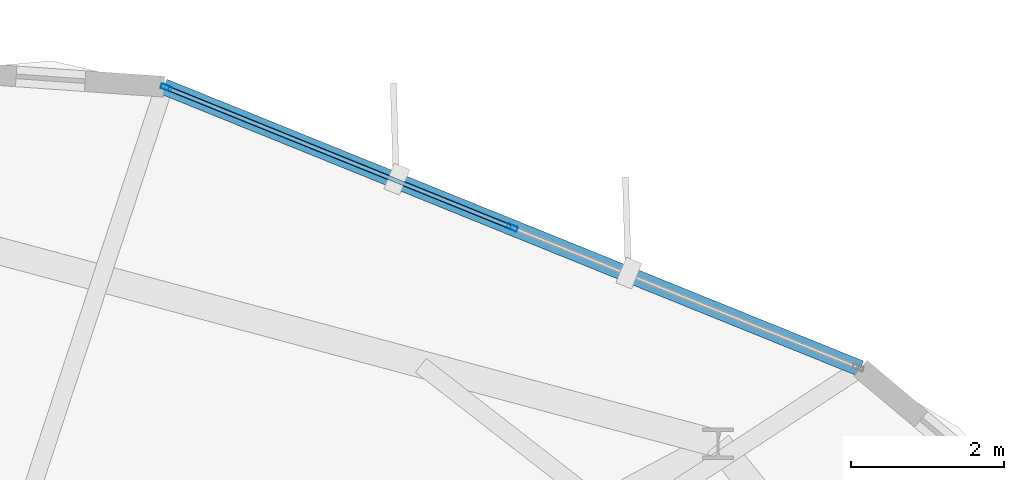
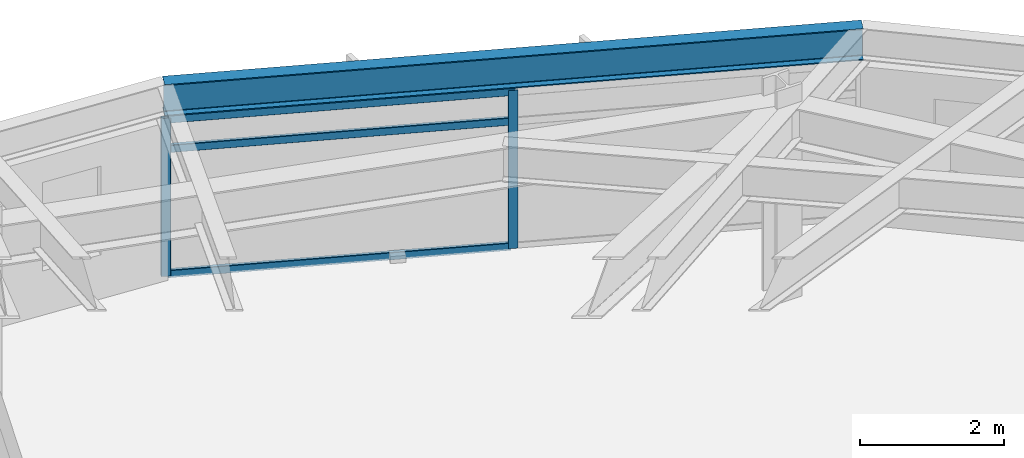
# One storey, part 14 of 23: 5 members, 1 beam, 1 element without a shape of its own.
"""IFC4 building model written with IfcOpenShell, lengths in metres."""

from ifc_helpers import new_model, si_unit, direction, frame, origin, origin_2d, place, context, subcontext, project, spatial, hollow_rectangle, i_section, extrude, material, layer, layer_set, material_profile, profile_set, type_object, element, aggregate, save


model = new_model("IFC4")

# Units and contexts
model_context = context("Model", 3, precision=1e-05, world=origin(), true_north=direction((0.0, 1.0)))
body_context = subcontext(model_context, "Body", "Model", "MODEL_VIEW")
ifc_project = project(units=[si_unit("LENGTHUNIT", "METRE"), si_unit("AREAUNIT", "SQUARE_METRE"), si_unit("VOLUMEUNIT", "CUBIC_METRE"), si_unit("PLANEANGLEUNIT", "RADIAN"), si_unit("MASSUNIT", "GRAM", prefix="KILO")], contexts=[model_context])

# Site, building, storey
site_placement = place(None, origin())
site = spatial("IfcSite", under=ifc_project, at=site_placement, CompositionType="ELEMENT")
building_placement = place(site_placement, origin())
building = spatial("IfcBuilding", under=site, at=building_placement, Name="Soratama Intermodal Tower", CompositionType="ELEMENT")
storey_placement = place(building_placement, frame((0.0, 0.0, 215.800048828125)))
storey = spatial("IfcBuildingStorey", under=building, at=storey_placement, Name="L54", CompositionType="ELEMENT", Elevation=215.800048828125)

# Beam
ifc_material_1 = material(Name="Structural steel ASTM A992 Grade 50", Category="steel")
ifc_material_profile_1 = material_profile(ifc_material_1, i_section(OverallWidth=0.2099609375, OverallDepth=0.537109375, WebThickness=0.010986328125, FlangeThickness=0.017333984375, FilletRadius=0.012939453125, at=origin_2d()), Name="W21X68")
ifc_profile_set_1 = profile_set([ifc_material_profile_1], Name="Structural steel ASTM A992 Grade 50")
beam_type = type_object("IfcBeamType", Name="BM-SPN-W21X68", PredefinedType="SPANDREL", material=ifc_profile_set_1)
beam_placement = place(storey_placement, frame((56.986083984375, 41.5810546875, 3.031494140625), z_axis=(-0.92704589597, 0.374947872063, 0.0), x_axis=(-0.374947872063, -0.92704589597, 0.0)))
element("IfcBeam", 1, at=beam_placement, inside=storey, type_object=beam_type, Name="BS-L54-F01", PredefinedType="SPANDREL", context=body_context, shape_type="SweptSolid", body=[
    extrude(i_section(OverallWidth=0.2099609375, OverallDepth=0.537109375, WebThickness=0.010986328125, FlangeThickness=0.017333984375, FilletRadius=0.012939453125, at=origin_2d()), origin(), (0.0, 0.0, 1.0), 9.79052734375),
])

# Curtain wall, members
ifc_material_2 = material(Name="Double-glazed aluminium curtain wall", Category="aluminium")
ifc_layer = layer(ifc_material_2, 0.159912109375)
ifc_layer_set = layer_set([ifc_layer], Name="Double-glazed aluminium curtain wall")
curtain_wall_type = type_object("IfcCurtainWallType", Name="CW-SYS-5", PredefinedType="NOTDEFINED", material=ifc_layer_set)
curtain_wall_placement = place(storey_placement, origin())
curtain_wall = element("IfcCurtainWall", 2, at=curtain_wall_placement, inside=storey, type_object=curtain_wall_type, Name="L54 Faceted Curtain Wall F01", PredefinedType="NOTDEFINED")
ifc_material_3 = material(Name="Anodised aluminium AA 6063-T6", Category="aluminium")
ifc_material_profile_2 = material_profile(ifc_material_3, hollow_rectangle(XDim=0.06494140625, YDim=0.139892578125, WallThickness=0.0048828125, InnerFilletRadius=0.0048828125, OuterFilletRadius=0.010009765625, at=origin_2d()), Name="CWM140X65X5")
ifc_profile_set_2 = profile_set([ifc_material_profile_2], Name="Anodised aluminium AA 6063-T6")
member_type_1 = type_object("IfcMemberType", Name="MT-CWM-5", PredefinedType="MULLION", material=ifc_profile_set_2)
member_1_placement = place(storey_placement, frame((52.4482421875, 43.416748046875, 0.0), z_axis=(0.0, 0.0, 1.0), x_axis=(-0.374934682302, -0.927051230519, 0.0)))
member_1 = element("IfcMember", 3, at=member_1_placement, type_object=member_type_1, Name="CW-5 mullion 2", PredefinedType="MULLION", context=body_context, shape_type="SweptSolid", body=[
    extrude(hollow_rectangle(XDim=0.06494140625, YDim=0.139892578125, WallThickness=0.0048828125, InnerFilletRadius=0.0048828125, OuterFilletRadius=0.010009765625, at=origin_2d()), origin(), (0.0, 0.0, 1.0), 2.678955078125),
])
member_2_placement = place(storey_placement, frame((47.93798828125, 45.240966796875, 0.0), z_axis=(0.0, 0.0, 1.0), x_axis=(-0.374934682302, -0.927051230519, 0.0)))
member_2 = element("IfcMember", 4, at=member_2_placement, type_object=member_type_1, Name="CW-5 mullion 3", PredefinedType="MULLION", context=body_context, shape_type="SweptSolid", body=[
    extrude(hollow_rectangle(XDim=0.06494140625, YDim=0.139892578125, WallThickness=0.0048828125, InnerFilletRadius=0.0048828125, OuterFilletRadius=0.010009765625, at=origin_2d()), origin(), (0.0, 0.0, 1.0), 2.678955078125),
])
ifc_material_4 = material(Name="Anodised aluminium AA 6063-T6", Category="aluminium")
ifc_material_profile_3 = material_profile(ifc_material_4, hollow_rectangle(XDim=0.06005859375, YDim=0.1298828125, WallThickness=0.0048828125, InnerFilletRadius=0.0048828125, OuterFilletRadius=0.010009765625, at=origin_2d()), Name="CWT130X60X5")
ifc_profile_set_3 = profile_set([ifc_material_profile_3], Name="Anodised aluminium AA 6063-T6")
member_type_2 = type_object("IfcMemberType", Name="TT-CWT-2", PredefinedType="USERDEFINED", material=ifc_profile_set_3)
member_3_placement = place(storey_placement, frame((52.420654296875, 43.427978515625, 0.030029296875), z_axis=(-0.92704732675, 0.374944334489, 0.0), x_axis=(-0.374944334489, -0.92704732675, 0.0)))
member_3 = element("IfcMember", 5, at=member_3_placement, type_object=member_type_2, Name="CW-5 transom 2.1", ObjectType="TRANSOM", PredefinedType="USERDEFINED", context=body_context, shape_type="SweptSolid", body=[
    extrude(hollow_rectangle(XDim=0.06005859375, YDim=0.1298828125, WallThickness=0.0048828125, InnerFilletRadius=0.0048828125, OuterFilletRadius=0.010009765625, at=origin_2d()), origin(), (0.0, 0.0, 1.0), 4.805419921875),
])
member_4_placement = place(storey_placement, frame((52.420654296875, 43.427978515625, 2.14990234375), z_axis=(-0.92704732675, 0.374944334489, 0.0), x_axis=(-0.374944334489, -0.92704732675, 0.0)))
member_4 = element("IfcMember", 6, at=member_4_placement, type_object=member_type_2, Name="CW-5 transom 2.2", ObjectType="TRANSOM", PredefinedType="USERDEFINED", context=body_context, shape_type="SweptSolid", body=[
    extrude(hollow_rectangle(XDim=0.06005859375, YDim=0.1298828125, WallThickness=0.0048828125, InnerFilletRadius=0.0048828125, OuterFilletRadius=0.010009765625, at=origin_2d()), origin(), (0.0, 0.0, 1.0), 4.805419921875),
])
member_5_placement = place(storey_placement, frame((52.420654296875, 43.427978515625, 2.64892578125), z_axis=(-0.92704732675, 0.374944334489, 0.0), x_axis=(-0.374944334489, -0.92704732675, 0.0)))
member_5 = element("IfcMember", 7, at=member_5_placement, type_object=member_type_2, Name="CW-5 transom 2.3", ObjectType="TRANSOM", PredefinedType="USERDEFINED", context=body_context, shape_type="SweptSolid", body=[
    extrude(hollow_rectangle(XDim=0.06005859375, YDim=0.1298828125, WallThickness=0.0048828125, InnerFilletRadius=0.0048828125, OuterFilletRadius=0.010009765625, at=origin_2d()), origin(), (0.0, 0.0, 1.0), 4.805419921875),
])
aggregate(curtain_wall, [member_1, member_2, member_3, member_4, member_5])

save(model, "model.ifc")
